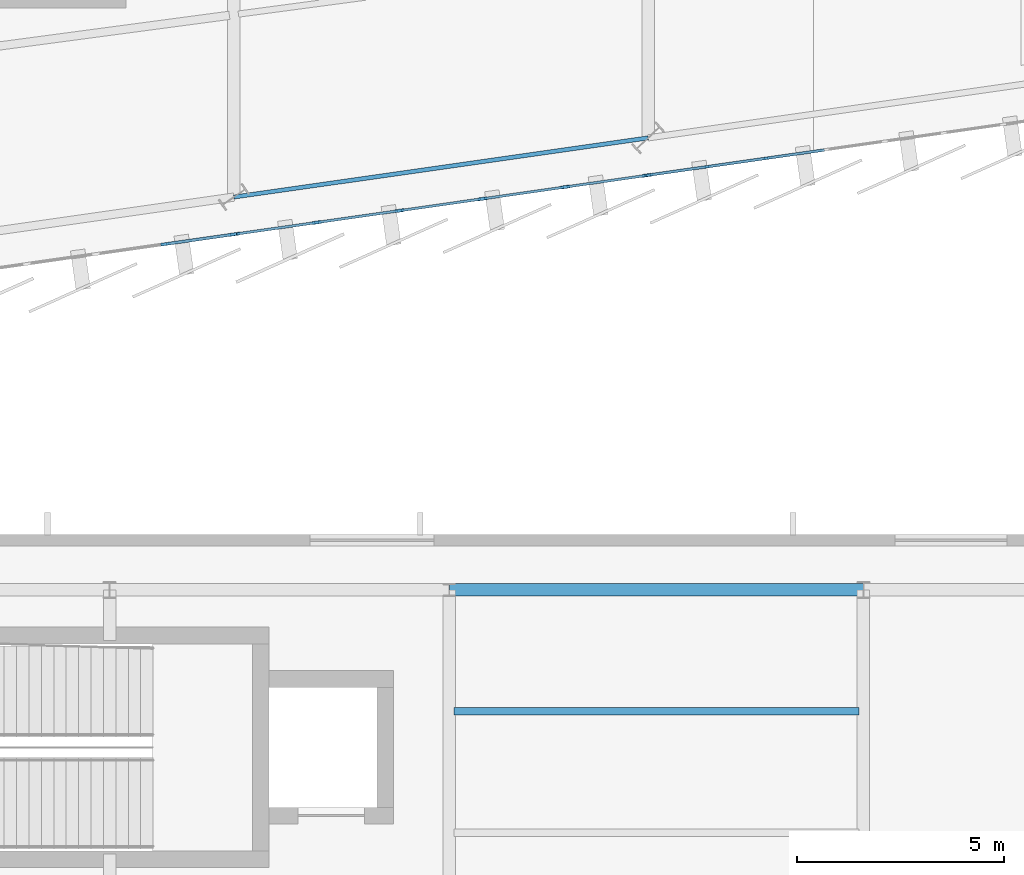
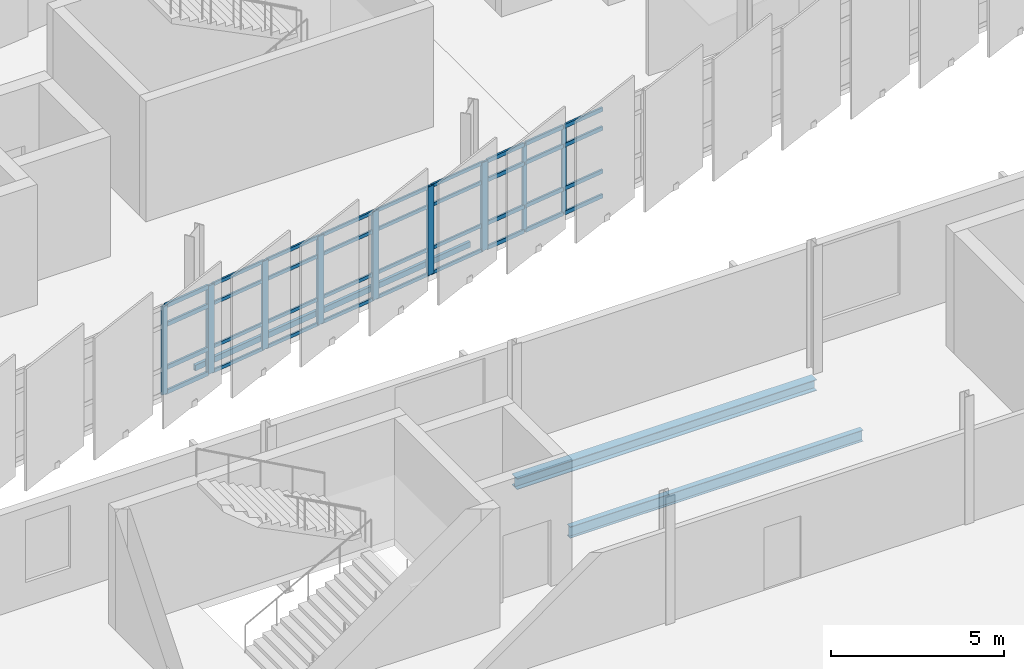
# One storey, part 36 of 120: 47 members, 3 beams, 3 elements without a shape of their own.
"""IFC4 building model written with IfcOpenShell, lengths in metres."""

import ifcopenshell
import ifcopenshell.guid

model = None  # the IFC model being written
_history = None  # IfcOwnerHistory: only IFC2X3 demands one
_inside = {}  # id of a spatial element -> (the spatial element, [elements in it])
_under = {}  # id of a project, library or spatial element -> (it, [spatial elements below it])
_declared = {}  # id of a project -> (the project, [libraries it declares])
_typed = {}  # id of a type object -> (the type object, [elements of that type])
_made_of = {}  # id of a material, layer set ... -> (it, [elements and type objects made of it])


def new_model(schema):
    """Start an empty IFC model of exactly this schema.

    Asked for "IFC4X3", IfcOpenShell would pick the latest addendum, in which some entities
    have other attributes; the version numbers below select the first issue.
    IFC2X3 requires an IfcOwnerHistory on every rooted entity: one is made here for all.
    """
    global model, _history
    if schema == "IFC4X3":
        model = ifcopenshell.file(schema_version=(4, 3, 0, 0))
    else:
        model = ifcopenshell.file(schema=schema)
    _inside.clear()
    _under.clear()
    _declared.clear()
    _typed.clear()
    _made_of.clear()
    _history = None
    if model.schema == "IFC2X3":
        org = make("IfcOrganization", Name="unknown")
        user = make(
            "IfcPersonAndOrganization",
            ThePerson=make("IfcPerson", FamilyName="unknown"),
            TheOrganization=org,
        )
        app = make(
            "IfcApplication",
            ApplicationDeveloper=org,
            Version="unknown",
            ApplicationFullName="unknown",
            ApplicationIdentifier="unknown",
        )
        _history = make(
            "IfcOwnerHistory",
            OwningUser=user,
            OwningApplication=app,
            ChangeAction="ADDED",
            CreationDate=0,
        )
    return model


def make(cls, **values):
    """One entity of the class cls with the attributes given. An attribute that is None is left unset."""
    return model.create_entity(
        cls, **{name: value for name, value in values.items() if value is not None}
    )


def rooted(cls, **values):
    """An entity with a GlobalId (a new one), such as an element, a storey or a relation."""
    return make(cls, GlobalId=ifcopenshell.guid.new(), OwnerHistory=_history, **values)


def si_unit(unit_type, name, prefix=None):
    """IfcSIUnit, for example si_unit("LENGTHUNIT", "METRE", prefix="MILLI")."""
    return make("IfcSIUnit", UnitType=unit_type, Prefix=prefix, Name=name)


def assignment(units):
    """IfcUnitAssignment: the units of a project."""
    return None if units is None else make("IfcUnitAssignment", Units=units)


def point(xyz):
    """IfcCartesianPoint."""
    return None if xyz is None else make("IfcCartesianPoint", Coordinates=xyz)


def direction(xyz):
    """IfcDirection."""
    return None if xyz is None else make("IfcDirection", DirectionRatios=xyz)


def frame(location, z_axis=None, x_axis=None):
    """IfcAxis2Placement3D, a coordinate frame: its origin and axes. An axis left out is left unset."""
    return make(
        "IfcAxis2Placement3D",
        Location=point(location),
        Axis=direction(z_axis),
        RefDirection=direction(x_axis),
    )


def frame_2d(location, x_axis=None):
    """IfcAxis2Placement2D, a coordinate frame in the plane: its origin and x axis."""
    return make(
        "IfcAxis2Placement2D", Location=point(location), RefDirection=direction(x_axis)
    )


def origin():
    """The frame at (0, 0, 0) with its axes left unset."""
    return frame((0.0, 0.0, 0.0))


def origin_2d():
    """The frame at (0, 0) in the plane with its x axis left unset."""
    return frame_2d((0.0, 0.0))


def place(relative_to, where):
    """IfcLocalPlacement: puts the frame where relative to a parent placement (None: the world)."""
    return make(
        "IfcLocalPlacement", PlacementRelTo=relative_to, RelativePlacement=where
    )


def context(
    kind, dimensions, precision=None, world=None, true_north=None, identifier=None
):
    """IfcGeometricRepresentationContext, for example the 3D "Model" context."""
    return make(
        "IfcGeometricRepresentationContext",
        ContextIdentifier=identifier,
        ContextType=kind,
        CoordinateSpaceDimension=dimensions,
        Precision=precision,
        WorldCoordinateSystem=world,
        TrueNorth=true_north,
    )


def subcontext(parent, identifier, kind, view, scale=None):
    """IfcGeometricRepresentationSubContext, for example "Body" below "Model"."""
    return make(
        "IfcGeometricRepresentationSubContext",
        ContextIdentifier=identifier,
        ContextType=kind,
        ParentContext=parent,
        TargetScale=scale,
        TargetView=view,
    )


def project(units=None, contexts=None):
    """IfcProject with its units and contexts."""
    return rooted(
        "IfcProject",
        Name="project",
        RepresentationContexts=contexts,
        UnitsInContext=assignment(units),
    )


def spatial(cls, under=None, at=None, **own):
    """A site, building, storey or space (cls), placed at a placement, below another one or the project."""
    s = rooted(cls, ObjectPlacement=at, **own)
    if under is not None:
        _under.setdefault(under.id(), (under, []))[1].append(s)
    return s


def profile(cls, at=None, kind="AREA", **sizes):
    """A parametric profile (cls). Its sizes go by their IFC names, for example OverallWidth=200.0."""
    return make(cls, ProfileType=kind, Position=at, **sizes)


def rectangle(**sizes):
    """IfcRectangleProfileDef."""
    return profile("IfcRectangleProfileDef", **sizes)


def hollow_rectangle(**sizes):
    """IfcRectangleHollowProfileDef."""
    return profile("IfcRectangleHollowProfileDef", **sizes)


def i_section(**sizes):
    """IfcIShapeProfileDef."""
    return profile("IfcIShapeProfileDef", **sizes)


def extrude(swept, where, along, depth):
    """IfcExtrudedAreaSolid: the profile swept, set in the frame where, extruded along a direction by depth."""
    return make(
        "IfcExtrudedAreaSolid",
        SweptArea=swept,
        Position=where,
        ExtrudedDirection=direction(along),
        Depth=depth,
    )


def shape(context_of_items, identifier, shape_type, items):
    """IfcShapeRepresentation: the items that make up one representation, for example the "Body"."""
    return make(
        "IfcShapeRepresentation",
        ContextOfItems=context_of_items,
        RepresentationIdentifier=identifier,
        RepresentationType=shape_type,
        Items=items,
    )


def material(Name=None, Category=None):
    """IfcMaterial."""
    return make("IfcMaterial", Name=Name, Category=Category)


def layer(
    of_material, thickness, ventilated=None, Name=None, Category=None, Priority=None
):
    """IfcMaterialLayer: one layer of a wall or slab, of a material (None: an air gap)."""
    return make(
        "IfcMaterialLayer",
        Material=of_material,
        LayerThickness=thickness,
        IsVentilated=ventilated,
        Name=Name,
        Category=Category,
        Priority=Priority,
    )


def layer_set(layers, Name=None):
    """IfcMaterialLayerSet."""
    return make("IfcMaterialLayerSet", MaterialLayers=layers, LayerSetName=Name)


def material_profile(
    of_material, cross_section, Name=None, Category=None, Priority=None
):
    """IfcMaterialProfile: a cross section and its material."""
    return make(
        "IfcMaterialProfile",
        Name=Name,
        Material=of_material,
        Profile=cross_section,
        Priority=Priority,
        Category=Category,
    )


def profile_set(profiles, Name=None, composite=None):
    """IfcMaterialProfileSet."""
    return make(
        "IfcMaterialProfileSet",
        Name=Name,
        MaterialProfiles=profiles,
        CompositeProfile=composite,
    )


def made_of(thing, what):
    """Note that an element or type object is made of a material, layer set ...; save() writes the relation."""
    if what is not None:
        _made_of.setdefault(what.id(), (what, []))[1].append(thing)
    return thing


def type_object(cls, material=None, **own):
    """A type object (cls), such as IfcWallType, which elements share."""
    return made_of(rooted(cls, **own), material)


def element(
    cls,
    number,
    at=None,
    inside=None,
    cuts=None,
    type_object=None,
    material=None,
    context=None,
    identifier="Body",
    shape_type=None,
    held_by="IfcProductDefinitionShape",
    body=None,
    shapes=None,
    **own,
):
    """One element of the class cls, such as IfcWall. Its Tag is "e" and its number.

    at: its placement. inside: the storey or other place that contains it. cuts: it is an
    opening in that element (IfcRelVoidsElement). A single representation is given by context,
    identifier, shape_type and body (its items); several are given by shapes. held_by: the class
    of the entity that holds the representations. save() writes the other relations.
    """
    e = rooted(cls, Tag="e%d" % number, ObjectPlacement=at, **own)
    if body is not None:
        shapes = [shape(context, identifier, shape_type, body)]
    if shapes is not None:
        e.Representation = make(held_by, Representations=shapes)
    if inside is not None:
        _inside.setdefault(inside.id(), (inside, []))[1].append(e)
    if cuts is not None:
        rooted(
            "IfcRelVoidsElement", RelatingBuildingElement=cuts, RelatedOpeningElement=e
        )
    if type_object is not None:
        _typed.setdefault(type_object.id(), (type_object, []))[1].append(e)
    return made_of(e, material)


def aggregate(whole, parts):
    """IfcRelAggregates: a whole, such as a stair, and the parts it consists of."""
    return rooted("IfcRelAggregates", RelatingObject=whole, RelatedObjects=parts)


def save(model, path):
    """Write the relations noted so far, then the file.

    IfcRelAggregates (storeys below a building ...), IfcRelContainedInSpatialStructure (elements
    in a storey), IfcRelDefinesByType, IfcRelAssociatesMaterial and IfcRelDeclares: one each for
    every whole, place, type object, material and project.
    """
    for whole, parts in _under.values():
        aggregate(whole, parts)
    for where, things in _inside.values():
        rooted(
            "IfcRelContainedInSpatialStructure",
            RelatedElements=things,
            RelatingStructure=where,
        )
    for kind, things in _typed.values():
        rooted("IfcRelDefinesByType", RelatedObjects=things, RelatingType=kind)
    for what, things in _made_of.values():
        rooted("IfcRelAssociatesMaterial", RelatedObjects=things, RelatingMaterial=what)
    for by, libraries in _declared.values():
        rooted("IfcRelDeclares", RelatingContext=by, RelatedDefinitions=libraries)
    model.write(path)


model = new_model("IFC4")

# Units and contexts
model_context = context("Model", 3, precision=1e-05, world=origin(), true_north=direction((0.0, 1.0)))
body_context = subcontext(model_context, "Body", "Model", "MODEL_VIEW")
ifc_project = project(units=[si_unit("LENGTHUNIT", "METRE"), si_unit("AREAUNIT", "SQUARE_METRE"), si_unit("VOLUMEUNIT", "CUBIC_METRE"), si_unit("PLANEANGLEUNIT", "RADIAN"), si_unit("MASSUNIT", "GRAM", prefix="KILO")], contexts=[model_context])

# Site, building, storey
site_placement = place(None, origin())
site = spatial("IfcSite", under=ifc_project, at=site_placement, CompositionType="ELEMENT")
building_placement = place(site_placement, origin())
building = spatial("IfcBuilding", under=site, at=building_placement, Name="Sohan Crest Arena", CompositionType="ELEMENT")
storey_placement = place(building_placement, frame((0.0, 0.0, 13.5)))
storey = spatial("IfcBuildingStorey", under=building, at=storey_placement, Name="L03", CompositionType="ELEMENT", Elevation=13.5)

# Curtain wall, members
ifc_material_1 = material(Name="Thermally broken anodised aluminium", Category="aluminium")
ifc_layer_1 = layer(ifc_material_1, 0.18994140625, Name="Thermally broken anodised aluminium")
ifc_layer_set_1 = layer_set([ifc_layer_1], Name="Thermally broken anodised aluminium")
curtain_wall_type_1 = type_object("IfcCurtainWallType", Name="ARC-CW05", PredefinedType="NOTDEFINED", material=ifc_layer_set_1)
curtain_wall_1_placement = place(storey_placement, origin())
curtain_wall_1 = element("IfcCurtainWall", 1, at=curtain_wall_1_placement, inside=storey, type_object=curtain_wall_type_1, Name="Unitised curtain wall CW-094", PredefinedType="NOTDEFINED")
ifc_material_profile_1 = material_profile(ifc_material_1, rectangle(XDim=0.06005859375, YDim=0.159912109375, at=origin_2d()), Name="ALU-MULL 60x160")
ifc_profile_set_1 = profile_set([ifc_material_profile_1], Name="Thermally broken anodised aluminium")
member_type_1 = type_object("IfcMemberType", Name="ARC-CW-ML01", PredefinedType="MULLION", material=ifc_profile_set_1)
member_1_placement = place(storey_placement, frame((138.02978515625, 34.818359375, 0.0), z_axis=(0.0, 0.0, 1.0), x_axis=(-0.141462933734, 0.989943553128, 0.0)))
member_1 = element("IfcMember", 2, at=member_1_placement, type_object=member_type_1, Name="CW-094 mullion 1", PredefinedType="MULLION", context=body_context, shape_type="SweptSolid", body=[
    extrude(rectangle(XDim=0.06005859375, YDim=0.159912109375, at=origin_2d()), origin(), (0.0, 0.0, 1.0), 3.1201171875),
])
member_2_placement = place(storey_placement, frame((139.428466796875, 35.01806640625, 0.0), z_axis=(0.0, 0.0, 1.0), x_axis=(-0.141462933734, 0.989943553128, 0.0)))
member_2 = element("IfcMember", 3, at=member_2_placement, type_object=member_type_1, Name="CW-094 mullion 2", PredefinedType="MULLION", context=body_context, shape_type="SweptSolid", body=[
    extrude(rectangle(XDim=0.06005859375, YDim=0.159912109375, at=origin_2d()), origin(), (0.0, 0.0, 1.0), 3.1201171875),
])
member_3_placement = place(storey_placement, frame((140.857177734375, 35.22216796875, 0.0), z_axis=(0.0, 0.0, 1.0), x_axis=(-0.141462933734, 0.989943553128, 0.0)))
member_3 = element("IfcMember", 4, at=member_3_placement, type_object=member_type_1, Name="CW-094 mullion 3", PredefinedType="MULLION", context=body_context, shape_type="SweptSolid", body=[
    extrude(rectangle(XDim=0.06005859375, YDim=0.159912109375, at=origin_2d()), origin(), (0.0, 0.0, 1.0), 3.1201171875),
])

ifc_layer_2 = layer(ifc_material_1, 0.219970703125, Name="Thermally broken anodised aluminium")
ifc_layer_set_2 = layer_set([ifc_layer_2], Name="Thermally broken anodised aluminium")
curtain_wall_type_2 = type_object("IfcCurtainWallType", Name="ARC-CW03", PredefinedType="NOTDEFINED", material=ifc_layer_set_2)
curtain_wall_2_placement = place(storey_placement, origin())
curtain_wall_2 = element("IfcCurtainWall", 5, at=curtain_wall_2_placement, inside=storey, type_object=curtain_wall_type_2, Name="Unitised curtain wall CW-092", PredefinedType="NOTDEFINED")
ifc_material_profile_2 = material_profile(ifc_material_1, rectangle(XDim=0.070068359375, YDim=0.199951171875, at=origin_2d()), Name="ALU-MULL 70x200")
ifc_profile_set_2 = profile_set([ifc_material_profile_2], Name="Thermally broken anodised aluminium")
member_type_2 = type_object("IfcMemberType", Name="ARC-CW-ML03", PredefinedType="MULLION", material=ifc_profile_set_2)
member_4_placement = place(storey_placement, frame((126.333251953125, 33.14794921875, 0.0), z_axis=(0.0, 0.0, 1.0), x_axis=(-0.141462933734, 0.989943553128, 0.0)))
member_4 = element("IfcMember", 6, at=member_4_placement, type_object=member_type_2, Name="CW-092 mullion 6", PredefinedType="MULLION", context=body_context, shape_type="SweptSolid", body=[
    extrude(rectangle(XDim=0.070068359375, YDim=0.199951171875, at=origin_2d()), origin(), (0.0, 0.0, 1.0), 3.1201171875),
])
member_5_placement = place(storey_placement, frame((127.96533203125, 33.381103515625, 0.0), z_axis=(0.0, 0.0, 1.0), x_axis=(-0.141462933734, 0.989943553128, 0.0)))
member_5 = element("IfcMember", 7, at=member_5_placement, type_object=member_type_2, Name="CW-092 mullion 7", PredefinedType="MULLION", context=body_context, shape_type="SweptSolid", body=[
    extrude(rectangle(XDim=0.070068359375, YDim=0.199951171875, at=origin_2d()), origin(), (0.0, 0.0, 1.0), 3.1201171875),
])

ifc_layer_3 = layer(ifc_material_1, 0.239990234375, Name="Thermally broken anodised aluminium")
ifc_layer_set_3 = layer_set([ifc_layer_3], Name="Thermally broken anodised aluminium")
curtain_wall_type_3 = type_object("IfcCurtainWallType", Name="ARC-CW04", PredefinedType="NOTDEFINED", material=ifc_layer_set_3)
curtain_wall_3_placement = place(storey_placement, origin())
curtain_wall_3 = element("IfcCurtainWall", 8, at=curtain_wall_3_placement, inside=storey, type_object=curtain_wall_type_3, Name="Unitised curtain wall CW-093", PredefinedType="NOTDEFINED")
ifc_material_profile_3 = material_profile(ifc_material_1, rectangle(XDim=0.074951171875, YDim=0.219970703125, at=origin_2d()), Name="ALU-MULL 75x220")
ifc_profile_set_3 = profile_set([ifc_material_profile_3], Name="Thermally broken anodised aluminium")
member_type_3 = type_object("IfcMemberType", Name="ARC-CW-ML04", PredefinedType="MULLION", material=ifc_profile_set_3)
member_6_placement = place(storey_placement, frame((128.037109375, 33.391357421875, 0.0), z_axis=(0.0, 0.0, 1.0), x_axis=(-0.141365918403, 0.989957411768, 0.0)))
member_6 = element("IfcMember", 9, at=member_6_placement, type_object=member_type_3, Name="CW-093 mullion 1", PredefinedType="MULLION", context=body_context, shape_type="SweptSolid", body=[
    extrude(rectangle(XDim=0.074951171875, YDim=0.219970703125, at=origin_2d()), origin(), (0.0, 0.0, 1.0), 3.1201171875),
])
member_7_placement = place(storey_placement, frame((130.0, 33.671630859375, 0.0), z_axis=(0.0, 0.0, 1.0), x_axis=(-0.141365918403, 0.989957411768, 0.0)))
member_7 = element("IfcMember", 10, at=member_7_placement, type_object=member_type_3, Name="CW-093 mullion 2", PredefinedType="MULLION", context=body_context, shape_type="SweptSolid", body=[
    extrude(rectangle(XDim=0.074951171875, YDim=0.219970703125, at=origin_2d()), origin(), (0.0, 0.0, 1.0), 3.1201171875),
])
member_8_placement = place(storey_placement, frame((132.0, 33.957275390625, 0.0), z_axis=(0.0, 0.0, 1.0), x_axis=(-0.141365918403, 0.989957411768, 0.0)))
member_8 = element("IfcMember", 11, at=member_8_placement, type_object=member_type_3, Name="CW-093 mullion 3", PredefinedType="MULLION", context=body_context, shape_type="SweptSolid", body=[
    extrude(rectangle(XDim=0.074951171875, YDim=0.219970703125, at=origin_2d()), origin(), (0.0, 0.0, 1.0), 3.1201171875),
])
member_9_placement = place(storey_placement, frame((134.0, 34.242919921875, 0.0), z_axis=(0.0, 0.0, 1.0), x_axis=(-0.141365918403, 0.989957411768, 0.0)))
member_9 = element("IfcMember", 12, at=member_9_placement, type_object=member_type_3, Name="CW-093 mullion 4", PredefinedType="MULLION", context=body_context, shape_type="SweptSolid", body=[
    extrude(rectangle(XDim=0.074951171875, YDim=0.219970703125, at=origin_2d()), origin(), (0.0, 0.0, 1.0), 3.1201171875),
])
member_10_placement = place(storey_placement, frame((136.0, 34.5283203125, 0.0), z_axis=(0.0, 0.0, 1.0), x_axis=(-0.141365918403, 0.989957411768, 0.0)))
member_10 = element("IfcMember", 13, at=member_10_placement, type_object=member_type_3, Name="CW-093 mullion 5", PredefinedType="MULLION", context=body_context, shape_type="SweptSolid", body=[
    extrude(rectangle(XDim=0.074951171875, YDim=0.219970703125, at=origin_2d()), origin(), (0.0, 0.0, 1.0), 3.1201171875),
])
member_11_placement = place(storey_placement, frame((137.962890625, 34.80859375, 0.0), z_axis=(0.0, 0.0, 1.0), x_axis=(-0.141365918403, 0.989957411768, 0.0)))
member_11 = element("IfcMember", 14, at=member_11_placement, type_object=member_type_3, Name="CW-093 mullion 6", PredefinedType="MULLION", context=body_context, shape_type="SweptSolid", body=[
    extrude(rectangle(XDim=0.074951171875, YDim=0.219970703125, at=origin_2d()), origin(), (0.0, 0.0, 1.0), 3.1201171875),
])
ifc_material_profile_4 = material_profile(ifc_material_1, rectangle(XDim=0.06005859375, YDim=0.1201171875, at=origin_2d()), Name="ALU-TRAN 60x120")
ifc_profile_set_4 = profile_set([ifc_material_profile_4], Name="Thermally broken anodised aluminium")
member_type_4 = type_object("IfcMemberType", Name="ARC-CW-TR01", PredefinedType="USERDEFINED", material=ifc_profile_set_4)
member_12_placement = place(storey_placement, frame((128.07421875, 33.396484375, 0.030029296875), z_axis=(0.989952052837, 0.141403440846, 0.0), x_axis=(-0.141403440846, 0.989952052837, 0.0)))
member_12 = element("IfcMember", 15, at=member_12_placement, type_object=member_type_4, Name="CW-093 transom 1.1", ObjectType="TRANSOM", PredefinedType="USERDEFINED", context=body_context, shape_type="SweptSolid", body=[
    extrude(rectangle(XDim=0.06005859375, YDim=0.1201171875, at=origin_2d()), origin(), (0.0, 0.0, 1.0), 1.907958984375),
])
member_13_placement = place(storey_placement, frame((128.07421875, 33.396484375, 0.89990234375), z_axis=(0.989952052837, 0.141403440846, 0.0), x_axis=(-0.141403440846, 0.989952052837, 0.0)))
member_13 = element("IfcMember", 16, at=member_13_placement, type_object=member_type_4, Name="CW-093 transom 1.2", ObjectType="TRANSOM", PredefinedType="USERDEFINED", context=body_context, shape_type="SweptSolid", body=[
    extrude(rectangle(XDim=0.06005859375, YDim=0.1201171875, at=origin_2d()), origin(), (0.0, 0.0, 1.0), 1.907958984375),
])
member_14_placement = place(storey_placement, frame((128.07421875, 33.396484375, 2.419921875), z_axis=(0.989952052837, 0.141403440846, 0.0), x_axis=(-0.141403440846, 0.989952052837, 0.0)))
member_14 = element("IfcMember", 17, at=member_14_placement, type_object=member_type_4, Name="CW-093 transom 1.3", ObjectType="TRANSOM", PredefinedType="USERDEFINED", context=body_context, shape_type="SweptSolid", body=[
    extrude(rectangle(XDim=0.06005859375, YDim=0.1201171875, at=origin_2d()), origin(), (0.0, 0.0, 1.0), 1.907958984375),
])
member_15_placement = place(storey_placement, frame((128.07421875, 33.396484375, 3.090087890625), z_axis=(0.989952052837, 0.141403440846, 0.0), x_axis=(-0.141403440846, 0.989952052837, 0.0)))
member_15 = element("IfcMember", 18, at=member_15_placement, type_object=member_type_4, Name="CW-093 transom 1.4", ObjectType="TRANSOM", PredefinedType="USERDEFINED", context=body_context, shape_type="SweptSolid", body=[
    extrude(rectangle(XDim=0.06005859375, YDim=0.1201171875, at=origin_2d()), origin(), (0.0, 0.0, 1.0), 1.907958984375),
])
member_16_placement = place(storey_placement, frame((130.037109375, 33.677001953125, 0.030029296875), z_axis=(0.98996454836, 0.141315933247, 0.0), x_axis=(-0.141315933247, 0.98996454836, 0.0)))
member_16 = element("IfcMember", 19, at=member_16_placement, type_object=member_type_4, Name="CW-093 transom 2.1", ObjectType="TRANSOM", PredefinedType="USERDEFINED", context=body_context, shape_type="SweptSolid", body=[
    extrude(rectangle(XDim=0.06005859375, YDim=0.1201171875, at=origin_2d()), origin(), (0.0, 0.0, 1.0), 1.9453125),
])
member_17_placement = place(storey_placement, frame((130.037109375, 33.677001953125, 0.89990234375), z_axis=(0.98996454836, 0.141315933247, 0.0), x_axis=(-0.141315933247, 0.98996454836, 0.0)))
member_17 = element("IfcMember", 20, at=member_17_placement, type_object=member_type_4, Name="CW-093 transom 2.2", ObjectType="TRANSOM", PredefinedType="USERDEFINED", context=body_context, shape_type="SweptSolid", body=[
    extrude(rectangle(XDim=0.06005859375, YDim=0.1201171875, at=origin_2d()), origin(), (0.0, 0.0, 1.0), 1.9453125),
])
member_18_placement = place(storey_placement, frame((130.037109375, 33.677001953125, 2.419921875), z_axis=(0.98996454836, 0.141315933247, 0.0), x_axis=(-0.141315933247, 0.98996454836, 0.0)))
member_18 = element("IfcMember", 21, at=member_18_placement, type_object=member_type_4, Name="CW-093 transom 2.3", ObjectType="TRANSOM", PredefinedType="USERDEFINED", context=body_context, shape_type="SweptSolid", body=[
    extrude(rectangle(XDim=0.06005859375, YDim=0.1201171875, at=origin_2d()), origin(), (0.0, 0.0, 1.0), 1.9453125),
])
member_19_placement = place(storey_placement, frame((130.037109375, 33.677001953125, 3.090087890625), z_axis=(0.98996454836, 0.141315933247, 0.0), x_axis=(-0.141315933247, 0.98996454836, 0.0)))
member_19 = element("IfcMember", 22, at=member_19_placement, type_object=member_type_4, Name="CW-093 transom 2.4", ObjectType="TRANSOM", PredefinedType="USERDEFINED", context=body_context, shape_type="SweptSolid", body=[
    extrude(rectangle(XDim=0.06005859375, YDim=0.1201171875, at=origin_2d()), origin(), (0.0, 0.0, 1.0), 1.9453125),
])
member_20_placement = place(storey_placement, frame((132.037109375, 33.96240234375, 0.030029296875), z_axis=(0.989946983498, 0.141438926268, 0.0), x_axis=(-0.141438926268, 0.989946983498, 0.0)))
member_20 = element("IfcMember", 23, at=member_20_placement, type_object=member_type_4, Name="CW-093 transom 3.1", ObjectType="TRANSOM", PredefinedType="USERDEFINED", context=body_context, shape_type="SweptSolid", body=[
    extrude(rectangle(XDim=0.06005859375, YDim=0.1201171875, at=origin_2d()), origin(), (0.0, 0.0, 1.0), 1.9453125),
])
member_21_placement = place(storey_placement, frame((132.037109375, 33.96240234375, 0.89990234375), z_axis=(0.989946983498, 0.141438926268, 0.0), x_axis=(-0.141438926268, 0.989946983498, 0.0)))
member_21 = element("IfcMember", 24, at=member_21_placement, type_object=member_type_4, Name="CW-093 transom 3.2", ObjectType="TRANSOM", PredefinedType="USERDEFINED", context=body_context, shape_type="SweptSolid", body=[
    extrude(rectangle(XDim=0.06005859375, YDim=0.1201171875, at=origin_2d()), origin(), (0.0, 0.0, 1.0), 1.9453125),
])
member_22_placement = place(storey_placement, frame((132.037109375, 33.96240234375, 2.419921875), z_axis=(0.989946983498, 0.141438926268, 0.0), x_axis=(-0.141438926268, 0.989946983498, 0.0)))
member_22 = element("IfcMember", 25, at=member_22_placement, type_object=member_type_4, Name="CW-093 transom 3.3", ObjectType="TRANSOM", PredefinedType="USERDEFINED", context=body_context, shape_type="SweptSolid", body=[
    extrude(rectangle(XDim=0.06005859375, YDim=0.1201171875, at=origin_2d()), origin(), (0.0, 0.0, 1.0), 1.9453125),
])
member_23_placement = place(storey_placement, frame((132.037109375, 33.96240234375, 3.090087890625), z_axis=(0.989946983498, 0.141438926268, 0.0), x_axis=(-0.141438926268, 0.989946983498, 0.0)))
member_23 = element("IfcMember", 26, at=member_23_placement, type_object=member_type_4, Name="CW-093 transom 3.4", ObjectType="TRANSOM", PredefinedType="USERDEFINED", context=body_context, shape_type="SweptSolid", body=[
    extrude(rectangle(XDim=0.06005859375, YDim=0.1201171875, at=origin_2d()), origin(), (0.0, 0.0, 1.0), 1.9453125),
])
member_24_placement = place(storey_placement, frame((134.037109375, 34.248046875, 0.030029296875), z_axis=(0.989946983498, 0.141438926268, 0.0), x_axis=(-0.141438926268, 0.989946983498, 0.0)))
member_24 = element("IfcMember", 27, at=member_24_placement, type_object=member_type_4, Name="CW-093 transom 4.1", ObjectType="TRANSOM", PredefinedType="USERDEFINED", context=body_context, shape_type="SweptSolid", body=[
    extrude(rectangle(XDim=0.06005859375, YDim=0.1201171875, at=origin_2d()), origin(), (0.0, 0.0, 1.0), 1.9453125),
])
member_25_placement = place(storey_placement, frame((134.037109375, 34.248046875, 0.89990234375), z_axis=(0.989946983498, 0.141438926268, 0.0), x_axis=(-0.141438926268, 0.989946983498, 0.0)))
member_25 = element("IfcMember", 28, at=member_25_placement, type_object=member_type_4, Name="CW-093 transom 4.2", ObjectType="TRANSOM", PredefinedType="USERDEFINED", context=body_context, shape_type="SweptSolid", body=[
    extrude(rectangle(XDim=0.06005859375, YDim=0.1201171875, at=origin_2d()), origin(), (0.0, 0.0, 1.0), 1.9453125),
])
member_26_placement = place(storey_placement, frame((134.037109375, 34.248046875, 2.419921875), z_axis=(0.989946983498, 0.141438926268, 0.0), x_axis=(-0.141438926268, 0.989946983498, 0.0)))
member_26 = element("IfcMember", 29, at=member_26_placement, type_object=member_type_4, Name="CW-093 transom 4.3", ObjectType="TRANSOM", PredefinedType="USERDEFINED", context=body_context, shape_type="SweptSolid", body=[
    extrude(rectangle(XDim=0.06005859375, YDim=0.1201171875, at=origin_2d()), origin(), (0.0, 0.0, 1.0), 1.9453125),
])
member_27_placement = place(storey_placement, frame((134.037109375, 34.248046875, 3.090087890625), z_axis=(0.989946983498, 0.141438926268, 0.0), x_axis=(-0.141438926268, 0.989946983498, 0.0)))
member_27 = element("IfcMember", 30, at=member_27_placement, type_object=member_type_4, Name="CW-093 transom 4.4", ObjectType="TRANSOM", PredefinedType="USERDEFINED", context=body_context, shape_type="SweptSolid", body=[
    extrude(rectangle(XDim=0.06005859375, YDim=0.1201171875, at=origin_2d()), origin(), (0.0, 0.0, 1.0), 1.9453125),
])
member_28_placement = place(storey_placement, frame((136.037109375, 34.53369140625, 0.030029296875), z_axis=(0.989952052837, 0.141403440846, 0.0), x_axis=(-0.141403440846, 0.989952052837, 0.0)))
member_28 = element("IfcMember", 31, at=member_28_placement, type_object=member_type_4, Name="CW-093 transom 5.1", ObjectType="TRANSOM", PredefinedType="USERDEFINED", context=body_context, shape_type="SweptSolid", body=[
    extrude(rectangle(XDim=0.06005859375, YDim=0.1201171875, at=origin_2d()), origin(), (0.0, 0.0, 1.0), 1.907958984375),
])
member_29_placement = place(storey_placement, frame((136.037109375, 34.53369140625, 0.89990234375), z_axis=(0.989952052837, 0.141403440846, 0.0), x_axis=(-0.141403440846, 0.989952052837, 0.0)))
member_29 = element("IfcMember", 32, at=member_29_placement, type_object=member_type_4, Name="CW-093 transom 5.2", ObjectType="TRANSOM", PredefinedType="USERDEFINED", context=body_context, shape_type="SweptSolid", body=[
    extrude(rectangle(XDim=0.06005859375, YDim=0.1201171875, at=origin_2d()), origin(), (0.0, 0.0, 1.0), 1.907958984375),
])
member_30_placement = place(storey_placement, frame((136.037109375, 34.53369140625, 2.419921875), z_axis=(0.989952052837, 0.141403440846, 0.0), x_axis=(-0.141403440846, 0.989952052837, 0.0)))
member_30 = element("IfcMember", 33, at=member_30_placement, type_object=member_type_4, Name="CW-093 transom 5.3", ObjectType="TRANSOM", PredefinedType="USERDEFINED", context=body_context, shape_type="SweptSolid", body=[
    extrude(rectangle(XDim=0.06005859375, YDim=0.1201171875, at=origin_2d()), origin(), (0.0, 0.0, 1.0), 1.907958984375),
])
member_31_placement = place(storey_placement, frame((136.037109375, 34.53369140625, 3.090087890625), z_axis=(0.989952052837, 0.141403440846, 0.0), x_axis=(-0.141403440846, 0.989952052837, 0.0)))
member_31 = element("IfcMember", 34, at=member_31_placement, type_object=member_type_4, Name="CW-093 transom 5.4", ObjectType="TRANSOM", PredefinedType="USERDEFINED", context=body_context, shape_type="SweptSolid", body=[
    extrude(rectangle(XDim=0.06005859375, YDim=0.1201171875, at=origin_2d()), origin(), (0.0, 0.0, 1.0), 1.907958984375),
])
aggregate(curtain_wall_3, [member_6, member_7, member_8, member_9, member_10, member_11, member_12, member_13, member_14, member_15, member_16, member_17, member_18, member_19, member_20, member_21, member_22, member_23, member_24, member_25, member_26, member_27, member_28, member_29, member_30, member_31])

# Member
ifc_material_profile_5 = material_profile(ifc_material_1, rectangle(XDim=0.06494140625, YDim=0.139892578125, at=origin_2d()), Name="ALU-TRAN 65x140")
ifc_profile_set_5 = profile_set([ifc_material_profile_5], Name="Thermally broken anodised aluminium")
member_type_5 = type_object("IfcMemberType", Name="ARC-CW-TR02", PredefinedType="USERDEFINED", material=ifc_profile_set_5)
member_32_placement = place(storey_placement, frame((138.059326171875, 34.822509765625, 0.032470703125), z_axis=(0.989945885007, 0.141446614515, 0.0), x_axis=(-0.141446614515, 0.989945885007, 0.0)))
member_32 = element("IfcMember", 35, at=member_32_placement, type_object=member_type_5, Name="CW-094 transom 1.1", ObjectType="TRANSOM", PredefinedType="USERDEFINED", context=body_context, shape_type="SweptSolid", body=[
    extrude(rectangle(XDim=0.06494140625, YDim=0.139892578125, at=origin_2d()), origin(), (0.0, 0.0, 1.0), 1.353271484375),
])

member_33_placement = place(storey_placement, frame((138.059326171875, 34.822509765625, 0.89990234375), z_axis=(0.989945885007, 0.141446614515, 0.0), x_axis=(-0.141446614515, 0.989945885007, 0.0)))
member_33 = element("IfcMember", 36, at=member_33_placement, type_object=member_type_5, Name="CW-094 transom 1.2", ObjectType="TRANSOM", PredefinedType="USERDEFINED", context=body_context, shape_type="SweptSolid", body=[
    extrude(rectangle(XDim=0.06494140625, YDim=0.139892578125, at=origin_2d()), origin(), (0.0, 0.0, 1.0), 1.353271484375),
])

member_34_placement = place(storey_placement, frame((138.059326171875, 34.822509765625, 2.419921875), z_axis=(0.989945885007, 0.141446614515, 0.0), x_axis=(-0.141446614515, 0.989945885007, 0.0)))
member_34 = element("IfcMember", 37, at=member_34_placement, type_object=member_type_5, Name="CW-094 transom 1.3", ObjectType="TRANSOM", PredefinedType="USERDEFINED", context=body_context, shape_type="SweptSolid", body=[
    extrude(rectangle(XDim=0.06494140625, YDim=0.139892578125, at=origin_2d()), origin(), (0.0, 0.0, 1.0), 1.353271484375),
])

member_35_placement = place(storey_placement, frame((138.059326171875, 34.822509765625, 3.08740234375), z_axis=(0.989945885007, 0.141446614515, 0.0), x_axis=(-0.141446614515, 0.989945885007, 0.0)))
member_35 = element("IfcMember", 38, at=member_35_placement, type_object=member_type_5, Name="CW-094 transom 1.4", ObjectType="TRANSOM", PredefinedType="USERDEFINED", context=body_context, shape_type="SweptSolid", body=[
    extrude(rectangle(XDim=0.06494140625, YDim=0.139892578125, at=origin_2d()), origin(), (0.0, 0.0, 1.0), 1.353271484375),
])

member_36_placement = place(storey_placement, frame((139.458251953125, 35.0224609375, 0.032470703125), z_axis=(0.989953023856, 0.141396642673, 0.0), x_axis=(-0.141396642673, 0.989953023856, 0.0)))
member_36 = element("IfcMember", 39, at=member_36_placement, type_object=member_type_5, Name="CW-094 transom 2.1", ObjectType="TRANSOM", PredefinedType="USERDEFINED", context=body_context, shape_type="SweptSolid", body=[
    extrude(rectangle(XDim=0.06494140625, YDim=0.139892578125, at=origin_2d()), origin(), (0.0, 0.0, 1.0), 1.383056640625),
])

member_37_placement = place(storey_placement, frame((139.458251953125, 35.0224609375, 0.89990234375), z_axis=(0.989953023856, 0.141396642673, 0.0), x_axis=(-0.141396642673, 0.989953023856, 0.0)))
member_37 = element("IfcMember", 40, at=member_37_placement, type_object=member_type_5, Name="CW-094 transom 2.2", ObjectType="TRANSOM", PredefinedType="USERDEFINED", context=body_context, shape_type="SweptSolid", body=[
    extrude(rectangle(XDim=0.06494140625, YDim=0.139892578125, at=origin_2d()), origin(), (0.0, 0.0, 1.0), 1.383056640625),
])

member_38_placement = place(storey_placement, frame((139.458251953125, 35.0224609375, 2.419921875), z_axis=(0.989953023856, 0.141396642673, 0.0), x_axis=(-0.141396642673, 0.989953023856, 0.0)))
member_38 = element("IfcMember", 41, at=member_38_placement, type_object=member_type_5, Name="CW-094 transom 2.3", ObjectType="TRANSOM", PredefinedType="USERDEFINED", context=body_context, shape_type="SweptSolid", body=[
    extrude(rectangle(XDim=0.06494140625, YDim=0.139892578125, at=origin_2d()), origin(), (0.0, 0.0, 1.0), 1.383056640625),
])

member_39_placement = place(storey_placement, frame((139.458251953125, 35.0224609375, 3.08740234375), z_axis=(0.989953023856, 0.141396642673, 0.0), x_axis=(-0.141396642673, 0.989953023856, 0.0)))
member_39 = element("IfcMember", 42, at=member_39_placement, type_object=member_type_5, Name="CW-094 transom 2.4", ObjectType="TRANSOM", PredefinedType="USERDEFINED", context=body_context, shape_type="SweptSolid", body=[
    extrude(rectangle(XDim=0.06494140625, YDim=0.139892578125, at=origin_2d()), origin(), (0.0, 0.0, 1.0), 1.383056640625),
])

member_40_placement = place(storey_placement, frame((140.886962890625, 35.2265625, 0.032470703125), z_axis=(0.989953023856, 0.141396642673, 0.0), x_axis=(-0.141396642673, 0.989953023856, 0.0)))
member_40 = element("IfcMember", 43, at=member_40_placement, type_object=member_type_5, Name="CW-094 transom 3.1", ObjectType="TRANSOM", PredefinedType="USERDEFINED", context=body_context, shape_type="SweptSolid", body=[
    extrude(rectangle(XDim=0.06494140625, YDim=0.139892578125, at=origin_2d()), origin(), (0.0, 0.0, 1.0), 1.383056640625),
])

member_41_placement = place(storey_placement, frame((140.886962890625, 35.2265625, 0.89990234375), z_axis=(0.989953023856, 0.141396642673, 0.0), x_axis=(-0.141396642673, 0.989953023856, 0.0)))
member_41 = element("IfcMember", 44, at=member_41_placement, type_object=member_type_5, Name="CW-094 transom 3.2", ObjectType="TRANSOM", PredefinedType="USERDEFINED", context=body_context, shape_type="SweptSolid", body=[
    extrude(rectangle(XDim=0.06494140625, YDim=0.139892578125, at=origin_2d()), origin(), (0.0, 0.0, 1.0), 1.383056640625),
])

member_42_placement = place(storey_placement, frame((140.886962890625, 35.2265625, 2.419921875), z_axis=(0.989953023856, 0.141396642673, 0.0), x_axis=(-0.141396642673, 0.989953023856, 0.0)))
member_42 = element("IfcMember", 45, at=member_42_placement, type_object=member_type_5, Name="CW-094 transom 3.3", ObjectType="TRANSOM", PredefinedType="USERDEFINED", context=body_context, shape_type="SweptSolid", body=[
    extrude(rectangle(XDim=0.06494140625, YDim=0.139892578125, at=origin_2d()), origin(), (0.0, 0.0, 1.0), 1.383056640625),
])

member_43_placement = place(storey_placement, frame((140.886962890625, 35.2265625, 3.08740234375), z_axis=(0.989953023856, 0.141396642673, 0.0), x_axis=(-0.141396642673, 0.989953023856, 0.0)))
member_43 = element("IfcMember", 46, at=member_43_placement, type_object=member_type_5, Name="CW-094 transom 3.4", ObjectType="TRANSOM", PredefinedType="USERDEFINED", context=body_context, shape_type="SweptSolid", body=[
    extrude(rectangle(XDim=0.06494140625, YDim=0.139892578125, at=origin_2d()), origin(), (0.0, 0.0, 1.0), 1.383056640625),
])

aggregate(curtain_wall_1, [member_1, member_2, member_3, member_32, member_33, member_34, member_35, member_36, member_37, member_38, member_39, member_40, member_41, member_42, member_43])

ifc_material_profile_6 = material_profile(ifc_material_1, rectangle(XDim=0.070068359375, YDim=0.14990234375, at=origin_2d()), Name="ALU-TRAN 70x150")
ifc_profile_set_6 = profile_set([ifc_material_profile_6], Name="Thermally broken anodised aluminium")
member_type_6 = type_object("IfcMemberType", Name="ARC-CW-TR03", PredefinedType="USERDEFINED", material=ifc_profile_set_6)
member_44_placement = place(storey_placement, frame((126.367919921875, 33.15283203125, 0.034912109375), z_axis=(0.989958770944, 0.141356400038, 0.0), x_axis=(-0.141356400038, 0.989958770944, 0.0)))
member_44 = element("IfcMember", 47, at=member_44_placement, type_object=member_type_6, Name="CW-092 transom 6.1", ObjectType="TRANSOM", PredefinedType="USERDEFINED", context=body_context, shape_type="SweptSolid", body=[
    extrude(rectangle(XDim=0.070068359375, YDim=0.14990234375, at=origin_2d()), origin(), (0.0, 0.0, 1.0), 1.57861328125),
])

member_45_placement = place(storey_placement, frame((126.367919921875, 33.15283203125, 0.89990234375), z_axis=(0.989958770944, 0.141356400038, 0.0), x_axis=(-0.141356400038, 0.989958770944, 0.0)))
member_45 = element("IfcMember", 48, at=member_45_placement, type_object=member_type_6, Name="CW-092 transom 6.2", ObjectType="TRANSOM", PredefinedType="USERDEFINED", context=body_context, shape_type="SweptSolid", body=[
    extrude(rectangle(XDim=0.070068359375, YDim=0.14990234375, at=origin_2d()), origin(), (0.0, 0.0, 1.0), 1.57861328125),
])

member_46_placement = place(storey_placement, frame((126.367919921875, 33.15283203125, 2.419921875), z_axis=(0.989958770944, 0.141356400038, 0.0), x_axis=(-0.141356400038, 0.989958770944, 0.0)))
member_46 = element("IfcMember", 49, at=member_46_placement, type_object=member_type_6, Name="CW-092 transom 6.3", ObjectType="TRANSOM", PredefinedType="USERDEFINED", context=body_context, shape_type="SweptSolid", body=[
    extrude(rectangle(XDim=0.070068359375, YDim=0.14990234375, at=origin_2d()), origin(), (0.0, 0.0, 1.0), 1.57861328125),
])

member_47_placement = place(storey_placement, frame((126.367919921875, 33.15283203125, 3.0849609375), z_axis=(0.989958770944, 0.141356400038, 0.0), x_axis=(-0.141356400038, 0.989958770944, 0.0)))
member_47 = element("IfcMember", 50, at=member_47_placement, type_object=member_type_6, Name="CW-092 transom 6.4", ObjectType="TRANSOM", PredefinedType="USERDEFINED", context=body_context, shape_type="SweptSolid", body=[
    extrude(rectangle(XDim=0.070068359375, YDim=0.14990234375, at=origin_2d()), origin(), (0.0, 0.0, 1.0), 1.57861328125),
])

aggregate(curtain_wall_2, [member_4, member_5, member_44, member_45, member_46, member_47])

# Beams
ifc_material_2 = material(Name="Steel S355", Category="steel")
ifc_material_profile_7 = material_profile(ifc_material_2, i_section(OverallWidth=0.179931640625, OverallDepth=0.39990234375, WebThickness=0.008544921875, FlangeThickness=0.013427734375, at=origin_2d()), Name="IPE 400")
ifc_profile_set_7 = profile_set([ifc_material_profile_7], Name="Steel S355")
beam_type_1 = type_object("IfcBeamType", Name="STR-BM-B03", PredefinedType="JOIST", material=ifc_profile_set_7)
beam_1_placement = place(storey_placement, frame((133.31005859375, 21.866943359375, -0.449951171875), z_axis=(1.0, 0.0, 0.0), x_axis=(0.0, 1.0, 0.0)))
element("IfcBeam", 51, at=beam_1_placement, inside=storey, type_object=beam_type_1, Name="Structural beam J-L03-2758", PredefinedType="JOIST", context=body_context, shape_type="SweptSolid", body=[
    extrude(i_section(OverallWidth=0.179931640625, OverallDepth=0.39990234375, WebThickness=0.008544921875, FlangeThickness=0.013427734375, at=origin_2d()), origin(), (0.0, 0.0, 1.0), 9.780029296875),
])
ifc_material_profile_8 = material_profile(ifc_material_2, i_section(OverallWidth=0.300048828125, OverallDepth=0.389892578125, WebThickness=0.010986328125, FlangeThickness=0.01904296875, at=origin_2d()), Name="HEA 400")
ifc_profile_set_8 = profile_set([ifc_material_profile_8], Name="Steel S355")
beam_type_2 = type_object("IfcBeamType", Name="STR-BM-B09", PredefinedType="BEAM", material=ifc_profile_set_8)
beam_2_placement = place(storey_placement, frame((133.199951171875, 24.800048828125, -0.445068359375), z_axis=(1.0, 0.0, 0.0), x_axis=(0.0, 1.0, 0.0)))
element("IfcBeam", 52, at=beam_2_placement, inside=storey, type_object=beam_type_2, Name="Structural beam G-L03-2767", PredefinedType="BEAM", context=body_context, shape_type="SweptSolid", body=[
    extrude(i_section(OverallWidth=0.300048828125, OverallDepth=0.389892578125, WebThickness=0.010986328125, FlangeThickness=0.01904296875, at=origin_2d()), origin(), (0.0, 0.0, 1.0), 10.0),
])
ifc_material_profile_9 = material_profile(ifc_material_2, hollow_rectangle(XDim=0.10009765625, YDim=0.199951171875, WallThickness=0.008056640625, at=origin_2d()), Name="RHS 200x100x8")
ifc_profile_set_9 = profile_set([ifc_material_profile_9], Name="Steel S355")
beam_type_3 = type_object("IfcBeamType", Name="STR-BM-SP01", PredefinedType="SPANDREL", material=ifc_profile_set_9)
beam_3_placement = place(storey_placement, frame((128.0, 34.285888671875, -0.35009765625), z_axis=(0.989954326844, 0.141387519825, 0.0), x_axis=(-0.141387519825, 0.989954326844, 0.0)))
element("IfcBeam", 53, at=beam_3_placement, inside=storey, type_object=beam_type_3, Name="Structural beam SP-L03-1463", PredefinedType="SPANDREL", context=body_context, shape_type="SweptSolid", body=[
    extrude(hollow_rectangle(XDim=0.10009765625, YDim=0.199951171875, WallThickness=0.008056640625, at=origin_2d()), origin(), (0.0, 0.0, 1.0), 10.1015625),
])

save(model, "model.ifc")
